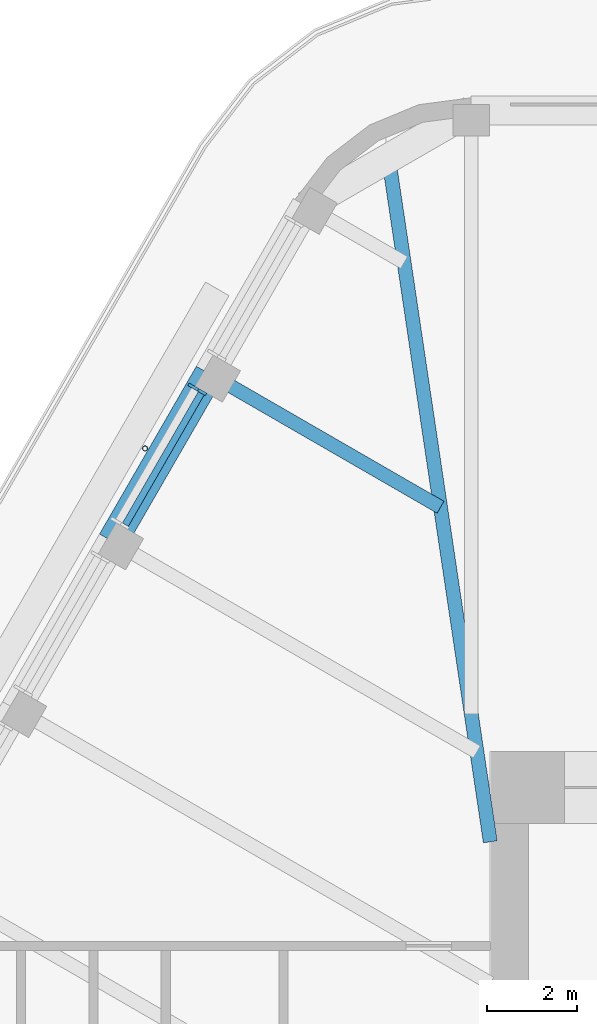
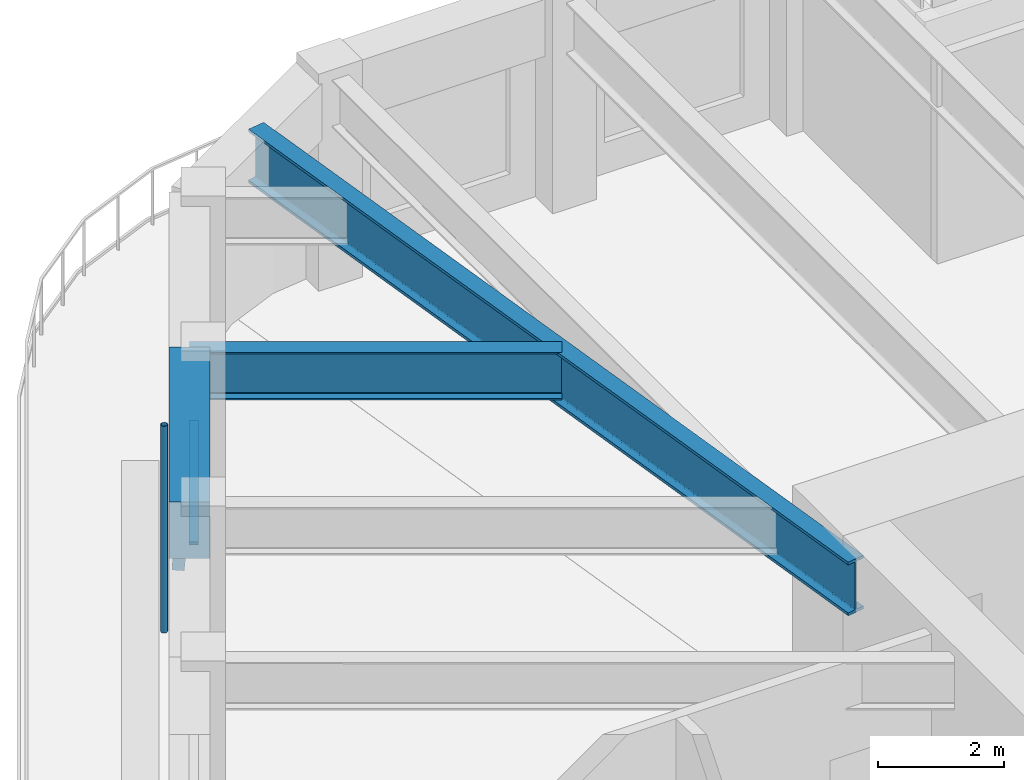
# One storey, part 8 of 20: 3 beams, 3 members, 1 element without a shape of its own.
"""IFC4 building model written with IfcOpenShell, lengths in metres."""

from ifc_helpers import new_model, si_unit, direction, frame, origin, origin_2d, place, context, subcontext, project, spatial, rectangle, hollow_circle, i_section, extrude, material, material_profile, profile_set, type_object, element, aggregate, save


model = new_model("IFC4")

# Units and contexts
model_context = context("Model", 3, precision=1e-05, world=origin(), true_north=direction((0.0, 1.0)))
body_context = subcontext(model_context, "Body", "Model", "MODEL_VIEW")
ifc_project = project(units=[si_unit("LENGTHUNIT", "METRE"), si_unit("AREAUNIT", "SQUARE_METRE"), si_unit("VOLUMEUNIT", "CUBIC_METRE"), si_unit("PLANEANGLEUNIT", "RADIAN"), si_unit("MASSUNIT", "GRAM", prefix="KILO")], contexts=[model_context])

# Site, building, storey
site_placement = place(None, origin())
site = spatial("IfcSite", under=ifc_project, at=site_placement, CompositionType="ELEMENT")
building_placement = place(site_placement, origin())
building = spatial("IfcBuilding", under=site, at=building_placement, Name="Tarfa Lantern Tower", CompositionType="ELEMENT")
storey_placement = place(building_placement, frame((0.0, 0.0, 382.89990234375)))
storey = spatial("IfcBuildingStorey", under=building, at=storey_placement, Name="L87", CompositionType="ELEMENT", Elevation=382.89990234375)

# Curtain wall, members
ifc_material_1 = material(Name="Aluminium framed curtain wall", Category="aluminium")
curtain_wall_type = type_object("IfcCurtainWallType", Name="CW4 CANTED GLAZING EXECUTIVE ZONE 2900", PredefinedType="USERDEFINED", material=ifc_material_1)
curtain_wall_placement = place(storey_placement, origin())
curtain_wall = element("IfcCurtainWall", 1, at=curtain_wall_placement, inside=storey, type_object=curtain_wall_type, Name="CW4 NW L87", ObjectType="CURTAIN WALL", PredefinedType="USERDEFINED")
ifc_material_2 = material(Name="Aluminium mullion", Category="aluminium")
ifc_material_profile_1 = material_profile(ifc_material_2, rectangle(XDim=0.06494140625, YDim=0.199951171875, at=origin_2d()), Name="AL MULLION 65x200")
ifc_profile_set_1 = profile_set([ifc_material_profile_1], Name="Aluminium mullion")
member_type_1 = type_object("IfcMemberType", Name="CWM1 MULLION 65x200", PredefinedType="MULLION", material=ifc_profile_set_1)
member_1_placement = place(storey_placement, frame((-19.013916015625, 20.3671875, 0.0), z_axis=(0.074393603155, -0.042941967097, 0.996303959277), x_axis=(0.499919672301, 0.866071776036, 0.0)))
member_1 = element("IfcMember", 2, at=member_1_placement, type_object=member_type_1, Name="CW4 mullion 1", PredefinedType="MULLION", context=body_context, shape_type="SweptSolid", body=[
    extrude(rectangle(XDim=0.06494140625, YDim=0.199951171875, at=origin_2d()), origin(), (0.0, 0.0, 1.0), 2.910888671875),
])
ifc_material_3 = material(Name="Aluminium transom", Category="aluminium")
ifc_material_profile_2 = material_profile(ifc_material_3, rectangle(XDim=0.14990234375, YDim=0.06494140625, at=origin_2d()), Name="AL TRANSOM 150x65")
ifc_profile_set_2 = profile_set([ifc_material_profile_2], Name="Aluminium transom")
member_type_2 = type_object("IfcMemberType", Name="CWT1 TRANSOM 150x65", PredefinedType="USERDEFINED", material=ifc_profile_set_2)
member_2_placement = place(storey_placement, frame((-18.81591796875, 20.21533203125, 2.86767578125), z_axis=(-0.500016677412, -0.866015774862, 0.0), x_axis=(0.866015774862, -0.500016677412, 0.0)))
member_2 = element("IfcMember", 3, at=member_2_placement, type_object=member_type_2, Name="CW4 transom 1.2", ObjectType="TRANSOM", PredefinedType="USERDEFINED", context=body_context, shape_type="SweptSolid", body=[
    extrude(rectangle(XDim=0.14990234375, YDim=0.06494140625, at=origin_2d()), origin(), (0.0, 0.0, 1.0), 3.35205078125),
])
aggregate(curtain_wall, [member_1, member_2])

# Beam
ifc_material_4 = material(Name="Concrete C80/95", Category="concrete")
ifc_material_profile_3 = material_profile(ifc_material_4, rectangle(XDim=0.64990234375, YDim=1.10009765625, at=origin_2d()), Name="RC 650x1100")
ifc_profile_set_3 = profile_set([ifc_material_profile_3], Name="Concrete C80/95")
beam_type_1 = type_object("IfcBeamType", Name="EB4 RC 650x1100", PredefinedType="SPANDREL", material=ifc_profile_set_3)
beam_1_placement = place(storey_placement, frame((-18.6416015625, 20.651611328125, 3.4501953125), z_axis=(-0.500026801138, -0.866009929587, 0.0), x_axis=(0.866009929587, -0.500026801138, 0.0)))
element("IfcBeam", 4, at=beam_1_placement, inside=storey, type_object=beam_type_1, Name="Edge beam NW1", PredefinedType="SPANDREL", context=body_context, shape_type="SweptSolid", body=[
    extrude(rectangle(XDim=0.64990234375, YDim=1.10009765625, at=origin_2d()), origin(), (0.0, 0.0, 1.0), 4.281982421875),
])

# Member
ifc_material_5 = material(Name="Steel S355", Category="steel")
ifc_material_profile_4 = material_profile(ifc_material_5, hollow_circle(Radius=0.05712890625, WallThickness=0.00634765625, at=origin_2d()), Name="CHS114.3x6.3")
ifc_profile_set_4 = profile_set([ifc_material_profile_4], Name="Steel S355")
member_type_3 = type_object("IfcMemberType", Name="TR1 GREEN WALL TRELLIS CHS114.3x6.3", PredefinedType="USERDEFINED", material=ifc_profile_set_4)
member_3_placement = place(storey_placement, frame((-20.05859375, 18.99755859375, 0.0), z_axis=(0.0, 0.0, 1.0), x_axis=(1.0, 0.0, 0.0)))
element("IfcMember", 5, at=member_3_placement, inside=storey, type_object=member_type_3, Name="Trellis post NW 1", ObjectType="TRELLIS", PredefinedType="USERDEFINED", context=body_context, shape_type="SweptSolid", body=[
    extrude(hollow_circle(Radius=0.05712890625, WallThickness=0.00634765625, at=origin_2d()), origin(), (0.0, 0.0, 1.0), 4.0),
])

# Beams
ifc_material_6 = material(Name="Steel S460M", Category="steel")
ifc_material_profile_5 = material_profile(ifc_material_6, i_section(OverallWidth=0.30859375, OverallDepth=1.036376953125, WebThickness=0.030029296875, FlangeThickness=0.05419921875, FilletRadius=0.030029296875, at=origin_2d()), Name="UB1016x305x487")
ifc_profile_set_5 = profile_set([ifc_material_profile_5], Name="Steel S460M")
beam_type_2 = type_object("IfcBeamType", Name="UB1016x305x487", PredefinedType="BEAM", material=ifc_profile_set_5)
beam_2_placement = place(storey_placement, frame((-12.425048828125, 10.300048828125, 3.48193359375), z_axis=(-0.147127069073, 0.989117599452, 0.0), x_axis=(-0.989117599452, -0.147127069073, 0.0)))
element("IfcBeam", 6, at=beam_2_placement, inside=storey, type_object=beam_type_2, Name="Hip girder NW", PredefinedType="BEAM", context=body_context, shape_type="SweptSolid", body=[
    extrude(i_section(OverallWidth=0.30859375, OverallDepth=1.036376953125, WebThickness=0.030029296875, FlangeThickness=0.05419921875, FilletRadius=0.030029296875, at=origin_2d()), origin(), (0.0, 0.0, 1.0), 15.28125),
])
ifc_material_profile_6 = material_profile(ifc_material_6, i_section(OverallWidth=0.305419921875, OverallDepth=0.91845703125, WebThickness=0.017333984375, FlangeThickness=0.02783203125, FilletRadius=0.01904296875, at=origin_2d()), Name="UB914x305x253")
ifc_profile_set_6 = profile_set([ifc_material_profile_6], Name="Steel S460M")
beam_type_3 = type_object("IfcBeamType", Name="UB914x305x253", PredefinedType="BEAM", material=ifc_profile_set_6)
beam_3_placement = place(storey_placement, frame((-18.6416015625, 20.651611328125, 3.541015625), z_axis=(0.866024549157, -0.500001480256, 0.0), x_axis=(0.500001480256, 0.866024549157, 0.0)))
element("IfcBeam", 7, at=beam_3_placement, inside=storey, type_object=beam_type_3, Name="Floor beam NW1", PredefinedType="BEAM", context=body_context, shape_type="SweptSolid", body=[
    extrude(i_section(OverallWidth=0.305419921875, OverallDepth=0.91845703125, WebThickness=0.017333984375, FlangeThickness=0.02783203125, FilletRadius=0.01904296875, at=origin_2d()), origin(), (0.0, 0.0, 1.0), 5.90771484375),
])

save(model, "model.ifc")
